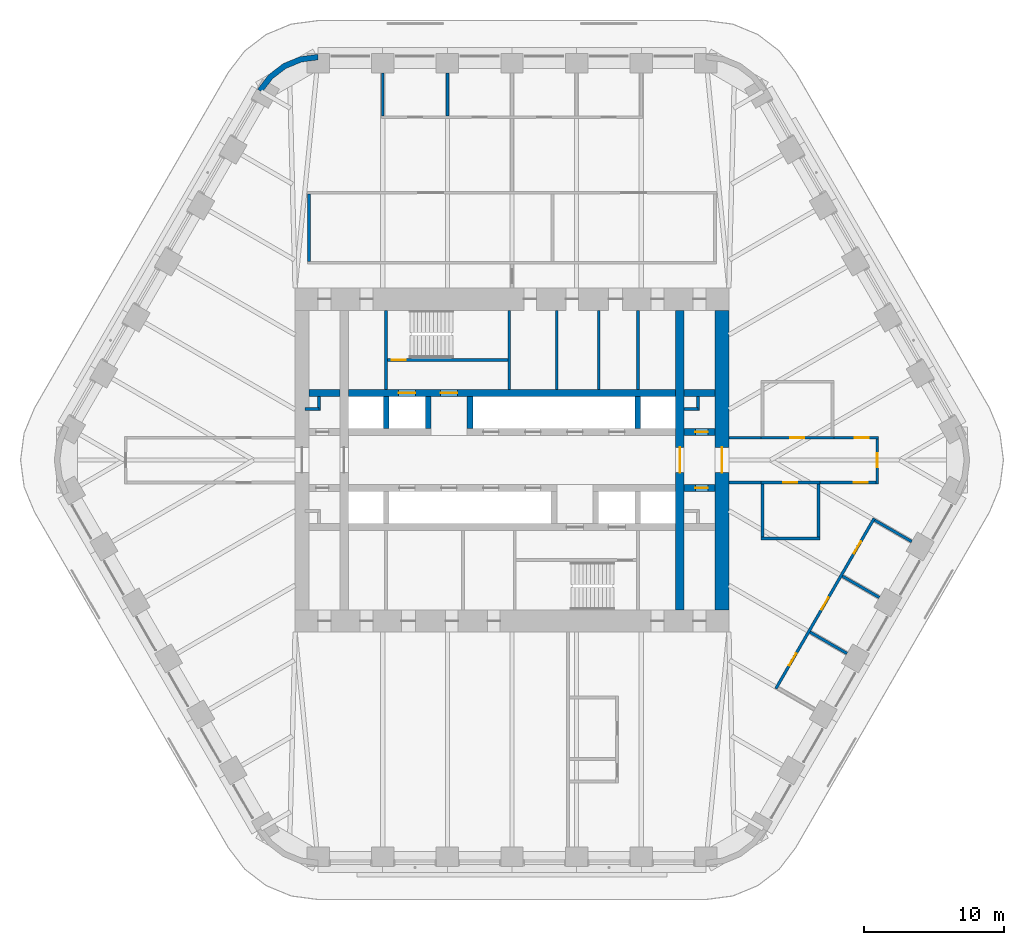
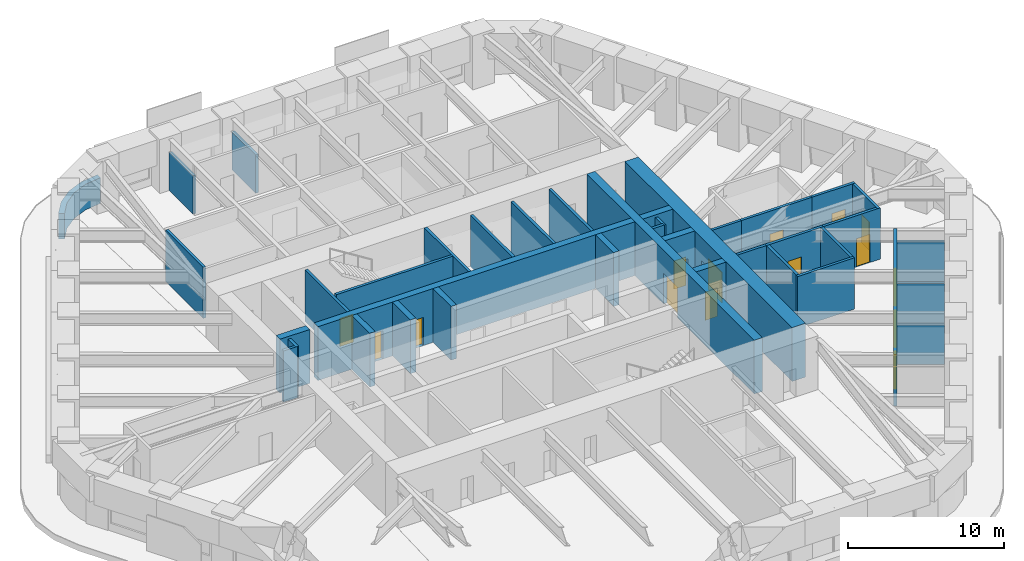
# One storey, part 16 of 20: 39 walls, 15 doors, 15 openings.
"""IFC4 building model written with IfcOpenShell, lengths in metres."""

from ifc_helpers import new_model, si_unit, direction, frame, frame_2d, origin, place, context, subcontext, project, spatial, polyline, rectangle, outline, extrude, material, layer, layer_set, type_object, element, fill, save


model = new_model("IFC4")

# Units and contexts
model_context = context("Model", 3, precision=1e-05, world=origin(), true_north=direction((0.0, 1.0)))
body_context = subcontext(model_context, "Body", "Model", "MODEL_VIEW")
ifc_project = project(units=[si_unit("LENGTHUNIT", "METRE"), si_unit("AREAUNIT", "SQUARE_METRE"), si_unit("VOLUMEUNIT", "CUBIC_METRE"), si_unit("PLANEANGLEUNIT", "RADIAN"), si_unit("MASSUNIT", "GRAM", prefix="KILO")], contexts=[model_context])

# Site, building, storey
site_placement = place(None, origin())
site = spatial("IfcSite", under=ifc_project, at=site_placement, CompositionType="ELEMENT")
building_placement = place(site_placement, origin())
building = spatial("IfcBuilding", under=site, at=building_placement, Name="Tarfa Lantern Tower", CompositionType="ELEMENT")
storey_placement = place(building_placement, frame((0.0, 0.0, 219.699951171875)))
storey = spatial("IfcBuildingStorey", under=building, at=storey_placement, Name="L49", CompositionType="ELEMENT", Elevation=219.699951171875)

# Walls
ifc_material_1 = material(Name="Limestone cladding on blockwork", Category="masonry")
ifc_layer_1 = layer(ifc_material_1, 0.39990234375)
ifc_layer_set_1 = layer_set([ifc_layer_1], Name="EW2 CURVED STONE CORNER 400")
wall_type_1 = type_object("IfcWallType", Name="EW2 CURVED STONE CORNER 400", PredefinedType="SOLIDWALL", material=ifc_layer_set_1)
wall_1_placement = place(storey_placement, origin())
element("IfcWall", 1, at=wall_1_placement, inside=storey, type_object=wall_type_1, Name="Stone corner N-NW", PredefinedType="SOLIDWALL", context=body_context, shape_type="SweptSolid", body=[
    extrude(outline(polyline([(-13.8564453125, 29.0), (-15.150390625, 28.82958984375), (-16.3564453125, 28.330078125), (-17.391845703125, 27.53564453125), (-18.1865234375, 26.5), (-17.840087890625, 26.300048828125), (-17.109130859375, 27.252685546875), (-16.156494140625, 27.983642578125), (-15.046875, 28.443359375), (-13.8564453125, 28.60009765625), (-13.8564453125, 29.0)])), origin(), (0.0, 0.0, 1.0), 2.0),
])
ifc_material_2 = material(Name="Concrete blockwork", Category="masonry")
ifc_layer_2 = layer(ifc_material_2, 0.199951171875)
ifc_layer_set_2 = layer_set([ifc_layer_2], Name="IW1 BLOCKWORK PARTITION 200 EI 120")
wall_type_2 = type_object("IfcWallType", Name="IW1 BLOCKWORK PARTITION 200 EI 120", PredefinedType="PARTITIONING", material=ifc_layer_set_2)
for number, where, z_axis, x_axis, name in (
    (2, (-9.0, 5.050048828125, 0.0), (0.0, 0.0, 1.0), (0.0, 1.0, 0.0), "Core partition"),
    (3, (9.0, 5.050048828125, 0.0), (0.0, 0.0, 1.0), (0.0, 1.0, 0.0), "Core partition"),
    (4, (3.199951171875, 5.050048828125, 0.0), (0.0, 0.0, 1.0), (0.0, 1.0, 0.0), "Core partition"),
    (5, (6.199951171875, 5.050048828125, 0.0), (0.0, 0.0, 1.0), (0.0, 1.0, 0.0), "Core partition"),
):
    element("IfcWall", number, at=place(storey_placement, frame(where, z_axis=z_axis, x_axis=x_axis)), inside=storey, type_object=wall_type_2, Name=name, PredefinedType="PARTITIONING", context=body_context, shape_type="SweptSolid", body=[
        extrude(rectangle(XDim=5.64990234375, YDim=0.199951171875, at=frame_2d((2.824951171875, 0.0))), origin(), (0.0, 0.0, 1.0), 4.0),
    ])
for number, where, z_axis, x_axis, name in (
    (6, (-14.800048828125, 3.64990234375, 0.0), (0.0, 0.0, 1.0), (1.0, 0.0, 0.0), "Core partition"),
    (7, (-13.800048828125, 3.550048828125, 0.0), (0.0, 0.0, 1.0), (0.0, 1.0, 0.0), "Core partition"),
    (8, (12.300048828125, 3.64990234375, 0.0), (0.0, 0.0, 1.0), (1.0, 0.0, 0.0), "Core partition"),
    (9, (13.300048828125, 3.550048828125, 0.0), (0.0, 0.0, 1.0), (0.0, 1.0, 0.0), "Core partition"),
):
    element("IfcWall", number, at=place(storey_placement, frame(where, z_axis=z_axis, x_axis=x_axis)), inside=storey, type_object=wall_type_2, Name=name, PredefinedType="PARTITIONING", context=body_context, shape_type="SweptSolid", body=[
        extrude(rectangle(XDim=1.0, YDim=0.199951171875, at=frame_2d((0.5, 0.0))), origin(), (0.0, 0.0, 1.0), 4.0),
    ])
ifc_material_3 = material(Name="Gypsum board on steel studs", Category="steel")
ifc_layer_3 = layer(ifc_material_3, 0.2099609375)
ifc_layer_set_3 = layer_set([ifc_layer_3], Name="IW2 ACOUSTIC PARTITION 200")
wall_type_3 = type_object("IfcWallType", Name="IW2 ACOUSTIC PARTITION 200", PredefinedType="PARTITIONING", material=ifc_layer_set_3)
wall_2_placement = place(storey_placement, frame((-14.5, 14.199951171875, 0.0), z_axis=(0.0, 0.0, 1.0), x_axis=(0.0, 1.0, 0.0)))
element("IfcWall", 10, at=wall_2_placement, inside=storey, type_object=wall_type_3, Name="Partition", PredefinedType="PARTITIONING", context=body_context, shape_type="SweptSolid", body=[
    extrude(rectangle(XDim=4.800048828125, YDim=0.199951171875, at=frame_2d((2.39990234375, 0.0))), origin(), (0.0, 0.0, 1.0), 4.0),
])
for number, where, z_axis, x_axis, name in (
    (11, (-4.618896484375, 24.60009765625, 0.0), (0.0, 0.0, 1.0), (0.0, 1.0, 0.0), "Partition"),
    (12, (-9.237548828125, 24.60009765625, 0.0), (0.0, 0.0, 1.0), (0.0, 1.0, 0.0), "Partition"),
):
    element("IfcWall", number, at=place(storey_placement, frame(where, z_axis=z_axis, x_axis=x_axis)), inside=storey, type_object=wall_type_3, Name=name, PredefinedType="PARTITIONING", context=body_context, shape_type="SweptSolid", body=[
        extrude(rectangle(XDim=3.0498046875, YDim=0.199951171875, at=frame_2d((1.52490234375, 0.0))), origin(), (0.0, 0.0, 1.0), 2.991943359375),
    ])

# Wall, openings, doors
wall_3_placement = place(storey_placement, frame((18.858154296875, -16.336669921875, 0.0), z_axis=(0.0, 0.0, 1.0), x_axis=(0.500002095642, 0.866024193862, 0.0)))
wall_3 = element("IfcWall", 13, at=wall_3_placement, inside=storey, type_object=wall_type_3, Name="Partition", PredefinedType="PARTITIONING", context=body_context, shape_type="SweptSolid", body=[
    extrude(rectangle(XDim=14.056640625, YDim=0.199951171875, at=frame_2d((7.0283203125, 0.0))), origin(), (0.0, 0.0, 1.0), 4.0),
])
opening_1_placement = place(wall_3_placement, frame((1.909423828125, 0.0, 0.0)))
opening_1 = element("IfcOpeningElement", 14, at=opening_1_placement, cuts=wall_3, Name="Opening D33", PredefinedType="OPENING", context=body_context, shape_type="SweptSolid", body=[
    extrude(rectangle(XDim=1.0, YDim=2.199951171875, at=frame_2d((0.5, 1.10009765625))), frame((0.0, 0.10986328125, 0.0), z_axis=(0.0, -1.0, 0.0), x_axis=(1.0, 0.0, 0.0)), (0.0, 0.0, 1.0), 0.219970703125),
])
opening_2_placement = place(wall_3_placement, frame((6.5283203125, 0.0, 0.0)))
opening_2 = element("IfcOpeningElement", 15, at=opening_2_placement, cuts=wall_3, Name="Opening D34", PredefinedType="OPENING", context=body_context, shape_type="SweptSolid", body=[
    extrude(rectangle(XDim=1.0, YDim=2.199951171875, at=frame_2d((0.5, 1.10009765625))), frame((0.0, 0.10986328125, 0.0), z_axis=(0.0, -1.0, 0.0), x_axis=(1.0, 0.0, 0.0)), (0.0, 0.0, 1.0), 0.219970703125),
])
opening_3_placement = place(wall_3_placement, frame((11.14697265625, 0.0, 0.0)))
opening_3 = element("IfcOpeningElement", 16, at=opening_3_placement, cuts=wall_3, Name="Opening D35", PredefinedType="OPENING", context=body_context, shape_type="SweptSolid", body=[
    extrude(rectangle(XDim=1.0, YDim=2.199951171875, at=frame_2d((0.5, 1.10009765625))), frame((0.0, 0.10986328125, 0.0), z_axis=(0.0, -1.0, 0.0), x_axis=(1.0, 0.0, 0.0)), (0.0, 0.0, 1.0), 0.219970703125),
])
ifc_material_4 = material(Name="Timber door", Category="wood")
door_type_1 = type_object("IfcDoorType", Name="DR1 ROOM DOOR 1000x2200", OperationType="SINGLE_SWING_LEFT", PredefinedType="DOOR", material=ifc_material_4)
door_1_placement = place(opening_1_placement, frame((1.0, 0.0, 0.0), z_axis=(0.0, 0.0, 1.0), x_axis=(-1.0, 0.0, 0.0)))
door_1 = element("IfcDoor", 17, at=door_1_placement, inside=storey, type_object=door_type_1, Name="Office door", OperationType="SINGLE_SWING_LEFT", OverallHeight=2.199951171875, OverallWidth=1.0, PredefinedType="DOOR", context=body_context, shape_type="SweptSolid", body=[
    extrude(rectangle(XDim=1.0, YDim=2.199951171875, at=frame_2d((0.5, 1.10009765625))), frame((0.0, 0.02490234375, 0.0), z_axis=(0.0, -1.0, 0.0), x_axis=(1.0, 0.0, 0.0)), (0.0, 0.0, 1.0), 0.050048828125),
])
fill(opening_1, door_1)
door_2_placement = place(opening_2_placement, frame((1.0, 0.0, 0.0), z_axis=(0.0, 0.0, 1.0), x_axis=(-1.0, 0.0, 0.0)))
door_2 = element("IfcDoor", 18, at=door_2_placement, inside=storey, type_object=door_type_1, Name="Office door", OperationType="SINGLE_SWING_RIGHT", OverallHeight=2.199951171875, OverallWidth=1.0, PredefinedType="DOOR", context=body_context, shape_type="SweptSolid", body=[
    extrude(rectangle(XDim=1.0, YDim=2.199951171875, at=frame_2d((0.5, 1.10009765625))), frame((0.0, 0.02490234375, 0.0), z_axis=(0.0, -1.0, 0.0), x_axis=(1.0, 0.0, 0.0)), (0.0, 0.0, 1.0), 0.050048828125),
])
fill(opening_2, door_2)
door_3_placement = place(opening_3_placement, frame((1.0, 0.0, 0.0), z_axis=(0.0, 0.0, 1.0), x_axis=(-1.0, 0.0, 0.0)))
door_3 = element("IfcDoor", 19, at=door_3_placement, inside=storey, type_object=door_type_1, Name="Office door", OperationType="SINGLE_SWING_RIGHT", OverallHeight=2.199951171875, OverallWidth=1.0, PredefinedType="DOOR", context=body_context, shape_type="SweptSolid", body=[
    extrude(rectangle(XDim=1.0, YDim=2.199951171875, at=frame_2d((0.5, 1.10009765625))), frame((0.0, 0.02490234375, 0.0), z_axis=(0.0, -1.0, 0.0), x_axis=(1.0, 0.0, 0.0)), (0.0, 0.0, 1.0), 0.050048828125),
])
fill(opening_3, door_3)

# Walls
for number, where, z_axis, x_axis, name in (
    (20, (21.30419921875, -12.300048828125, 0.0), (0.0, 0.0, 1.0), (0.866037623948, -0.499978833458, 0.0), "Partition"),
    (21, (23.613525390625, -8.300048828125, 0.0), (0.0, 0.0, 1.0), (0.866037623948, -0.499978833458, 0.0), "Partition"),
    (22, (25.923095703125, -4.300048828125, 0.0), (0.0, 0.0, 1.0), (0.866037623948, -0.499978833458, 0.0), "Partition"),
):
    element("IfcWall", number, at=place(storey_placement, frame(where, z_axis=z_axis, x_axis=x_axis)), inside=storey, type_object=wall_type_3, Name=name, PredefinedType="PARTITIONING", context=body_context, shape_type="SweptSolid", body=[
        extrude(rectangle(XDim=3.050048828125, YDim=0.199951171875, at=frame_2d((1.52490234375, 0.0))), origin(), (0.0, 0.0, 1.0), 3.08154296875),
    ])

# Wall, opening, door
wall_4_placement = place(storey_placement, frame((17.800048828125, 1.60009765625, 0.0), z_axis=(0.0, 0.0, 1.0), x_axis=(1.0, 0.0, 0.0)))
wall_4 = element("IfcWall", 23, at=wall_4_placement, inside=storey, type_object=wall_type_3, Name="Partition", PredefinedType="PARTITIONING", context=body_context, shape_type="SweptSolid", body=[
    extrude(rectangle(XDim=5.199951171875, YDim=0.199951171875, at=frame_2d((2.60009765625, 0.0))), origin(), (0.0, 0.0, 1.0), 4.0),
])
opening_4_placement = place(wall_4_placement, frame((2.10009765625, 0.0, 0.0)))
opening_4 = element("IfcOpeningElement", 24, at=opening_4_placement, cuts=wall_4, Name="Opening D27", PredefinedType="OPENING", context=body_context, shape_type="SweptSolid", body=[
    extrude(rectangle(XDim=1.0, YDim=2.199951171875, at=frame_2d((0.5, 1.10009765625))), frame((0.0, 0.10986328125, 0.0), z_axis=(0.0, -1.0, 0.0), x_axis=(1.0, 0.0, 0.0)), (0.0, 0.0, 1.0), 0.219970703125),
])
door_4_placement = place(opening_4_placement, origin())
door_4 = element("IfcDoor", 25, at=door_4_placement, inside=storey, type_object=door_type_1, Name="Project room door", OperationType="SINGLE_SWING_LEFT", OverallHeight=2.199951171875, OverallWidth=1.0, PredefinedType="DOOR", context=body_context, shape_type="SweptSolid", body=[
    extrude(rectangle(XDim=1.0, YDim=2.199951171875, at=frame_2d((0.5, 1.10009765625))), frame((0.0, 0.02490234375, 0.0), z_axis=(0.0, -1.0, 0.0), x_axis=(1.0, 0.0, 0.0)), (0.0, 0.0, 1.0), 0.050048828125),
])
fill(opening_4, door_4)

wall_5_placement = place(storey_placement, frame((17.800048828125, -1.60009765625, 0.0), z_axis=(0.0, 0.0, 1.0), x_axis=(1.0, 0.0, 0.0)))
wall_5 = element("IfcWall", 26, at=wall_5_placement, inside=storey, type_object=wall_type_3, Name="Partition", PredefinedType="PARTITIONING", context=body_context, shape_type="SweptSolid", body=[
    extrude(rectangle(XDim=4.199951171875, YDim=0.199951171875, at=frame_2d((2.10009765625, 0.0))), origin(), (0.0, 0.0, 1.0), 4.0),
])
opening_5_placement = place(wall_5_placement, frame((1.60009765625, 0.0, 0.0)))
opening_5 = element("IfcOpeningElement", 27, at=opening_5_placement, cuts=wall_5, Name="Opening D28", PredefinedType="OPENING", context=body_context, shape_type="SweptSolid", body=[
    extrude(rectangle(XDim=1.0, YDim=2.199951171875, at=frame_2d((0.5, 1.10009765625))), frame((0.0, 0.10986328125, 0.0), z_axis=(0.0, -1.0, 0.0), x_axis=(1.0, 0.0, 0.0)), (0.0, 0.0, 1.0), 0.219970703125),
])
door_5_placement = place(opening_5_placement, frame((1.0, 0.0, 0.0), z_axis=(0.0, 0.0, 1.0), x_axis=(-1.0, 0.0, 0.0)))
door_5 = element("IfcDoor", 28, at=door_5_placement, inside=storey, type_object=door_type_1, Name="Pantry door", OperationType="SINGLE_SWING_RIGHT", OverallHeight=2.199951171875, OverallWidth=1.0, PredefinedType="DOOR", context=body_context, shape_type="SweptSolid", body=[
    extrude(rectangle(XDim=1.0, YDim=2.199951171875, at=frame_2d((0.5, 1.10009765625))), frame((0.0, 0.02490234375, 0.0), z_axis=(0.0, -1.0, 0.0), x_axis=(1.0, 0.0, 0.0)), (0.0, 0.0, 1.0), 0.050048828125),
])
fill(opening_5, door_5)

# Walls
wall_6_placement = place(storey_placement, frame((17.800048828125, -5.60009765625, 0.0), z_axis=(0.0, 0.0, 1.0), x_axis=(1.0, 0.0, 0.0)))
element("IfcWall", 29, at=wall_6_placement, inside=storey, type_object=wall_type_3, Name="Partition", PredefinedType="PARTITIONING", context=body_context, shape_type="SweptSolid", body=[
    extrude(rectangle(XDim=4.199951171875, YDim=0.199951171875, at=frame_2d((2.10009765625, 0.0))), origin(), (0.0, 0.0, 1.0), 4.0),
])
for number, where, z_axis, x_axis, name in (
    (30, (17.89990234375, -1.699951171875, 0.0), (0.0, 0.0, 1.0), (0.0, -1.0, 0.0), "Partition"),
    (31, (21.89990234375, -1.699951171875, 0.0), (0.0, 0.0, 1.0), (0.0, -1.0, 0.0), "Partition"),
):
    element("IfcWall", number, at=place(storey_placement, frame(where, z_axis=z_axis, x_axis=x_axis)), inside=storey, type_object=wall_type_3, Name=name, PredefinedType="PARTITIONING", context=body_context, shape_type="SweptSolid", body=[
        extrude(rectangle(XDim=3.800048828125, YDim=0.199951171875, at=frame_2d((1.89990234375, 0.0))), origin(), (0.0, 0.0, 1.0), 4.0),
    ])
wall_7_placement = place(storey_placement, frame((15.5, 1.60009765625, 0.0), z_axis=(0.0, 0.0, 1.0), x_axis=(1.0, 0.0, 0.0)))
element("IfcWall", 32, at=wall_7_placement, inside=storey, type_object=wall_type_3, Name="Partition", PredefinedType="PARTITIONING", context=body_context, shape_type="SweptSolid", body=[
    extrude(rectangle(XDim=2.300048828125, YDim=0.199951171875, at=frame_2d((1.14990234375, 0.0))), origin(), (0.0, 0.0, 1.0), 4.0),
])

# Wall, opening, door
wall_8_placement = place(storey_placement, frame((23.0, 1.60009765625, 0.0), z_axis=(0.0, 0.0, 1.0), x_axis=(1.0, 0.0, 0.0)))
wall_8 = element("IfcWall", 33, at=wall_8_placement, inside=storey, type_object=wall_type_3, Name="Partition", PredefinedType="PARTITIONING", context=body_context, shape_type="SweptSolid", body=[
    extrude(rectangle(XDim=3.199951171875, YDim=0.199951171875, at=frame_2d((1.60009765625, 0.0))), origin(), (0.0, 0.0, 1.0), 4.0),
])
opening_6_placement = place(wall_8_placement, frame((1.5, 0.0, 0.0)))
opening_6 = element("IfcOpeningElement", 34, at=opening_6_placement, cuts=wall_8, Name="Opening D41", PredefinedType="OPENING", context=body_context, shape_type="SweptSolid", body=[
    extrude(rectangle(XDim=1.0, YDim=2.199951171875, at=frame_2d((0.5, 1.10009765625))), frame((0.0, 0.10986328125, 0.0), z_axis=(0.0, -1.0, 0.0), x_axis=(1.0, 0.0, 0.0)), (0.0, 0.0, 1.0), 0.219970703125),
])
door_6_placement = place(opening_6_placement, origin())
door_6 = element("IfcDoor", 35, at=door_6_placement, inside=storey, type_object=door_type_1, Name="Corridor door", OperationType="SINGLE_SWING_RIGHT", OverallHeight=2.199951171875, OverallWidth=1.0, PredefinedType="DOOR", context=body_context, shape_type="SweptSolid", body=[
    extrude(rectangle(XDim=1.0, YDim=2.199951171875, at=frame_2d((0.5, 1.10009765625))), frame((0.0, 0.02490234375, 0.0), z_axis=(0.0, -1.0, 0.0), x_axis=(1.0, 0.0, 0.0)), (0.0, 0.0, 1.0), 0.050048828125),
])
fill(opening_6, door_6)

# Wall
wall_9_placement = place(storey_placement, frame((15.5, -1.60009765625, 0.0), z_axis=(0.0, 0.0, 1.0), x_axis=(1.0, 0.0, 0.0)))
element("IfcWall", 36, at=wall_9_placement, inside=storey, type_object=wall_type_3, Name="Partition", PredefinedType="PARTITIONING", context=body_context, shape_type="SweptSolid", body=[
    extrude(rectangle(XDim=2.300048828125, YDim=0.199951171875, at=frame_2d((1.14990234375, 0.0))), origin(), (0.0, 0.0, 1.0), 4.0),
])

# Wall, opening, door
wall_10_placement = place(storey_placement, frame((22.0, -1.60009765625, 0.0), z_axis=(0.0, 0.0, 1.0), x_axis=(1.0, 0.0, 0.0)))
wall_10 = element("IfcWall", 37, at=wall_10_placement, inside=storey, type_object=wall_type_3, Name="Partition", PredefinedType="PARTITIONING", context=body_context, shape_type="SweptSolid", body=[
    extrude(rectangle(XDim=4.199951171875, YDim=0.199951171875, at=frame_2d((2.10009765625, 0.0))), origin(), (0.0, 0.0, 1.0), 4.0),
])
opening_7_placement = place(wall_10_placement, frame((2.43994140625, 0.0, 0.0)))
opening_7 = element("IfcOpeningElement", 38, at=opening_7_placement, cuts=wall_10, Name="Opening D42", PredefinedType="OPENING", context=body_context, shape_type="SweptSolid", body=[
    extrude(rectangle(XDim=1.0, YDim=2.199951171875, at=frame_2d((0.5, 1.10009765625))), frame((0.0, 0.10986328125, 0.0), z_axis=(0.0, -1.0, 0.0), x_axis=(1.0, 0.0, 0.0)), (0.0, 0.0, 1.0), 0.219970703125),
])
door_7_placement = place(opening_7_placement, frame((1.0, 0.0, 0.0), z_axis=(0.0, 0.0, 1.0), x_axis=(-1.0, 0.0, 0.0)))
door_7 = element("IfcDoor", 39, at=door_7_placement, inside=storey, type_object=door_type_1, Name="Corridor door", OperationType="SINGLE_SWING_LEFT", OverallHeight=2.199951171875, OverallWidth=1.0, PredefinedType="DOOR", context=body_context, shape_type="SweptSolid", body=[
    extrude(rectangle(XDim=1.0, YDim=2.199951171875, at=frame_2d((0.5, 1.10009765625))), frame((0.0, 0.02490234375, 0.0), z_axis=(0.0, -1.0, 0.0), x_axis=(1.0, 0.0, 0.0)), (0.0, 0.0, 1.0), 0.050048828125),
])
fill(opening_7, door_7)

wall_11_placement = place(storey_placement, frame((26.10009765625, -1.699951171875, 0.0), z_axis=(0.0, 0.0, 1.0), x_axis=(0.0, 1.0, 0.0)))
wall_11 = element("IfcWall", 40, at=wall_11_placement, inside=storey, type_object=wall_type_3, Name="Partition", PredefinedType="PARTITIONING", context=body_context, shape_type="SweptSolid", body=[
    extrude(rectangle(XDim=3.39990234375, YDim=0.199951171875, at=frame_2d((1.699951171875, 0.0))), origin(), (0.0, 0.0, 1.0), 4.0),
])
opening_8_placement = place(wall_11_placement, frame((1.199951171875, 0.0, 0.0)))
opening_8 = element("IfcOpeningElement", 41, at=opening_8_placement, cuts=wall_11, Name="Opening D40", PredefinedType="OPENING", context=body_context, shape_type="SweptSolid", body=[
    extrude(rectangle(XDim=1.0, YDim=2.199951171875, at=frame_2d((0.5, 1.10009765625))), frame((0.0, 0.10986328125, 0.0), z_axis=(0.0, -1.0, 0.0), x_axis=(1.0, 0.0, 0.0)), (0.0, 0.0, 1.0), 0.219970703125),
])
door_8_placement = place(opening_8_placement, frame((1.0, 0.0, 0.0), z_axis=(0.0, 0.0, 1.0), x_axis=(-1.0, 0.0, 0.0)))
door_8 = element("IfcDoor", 42, at=door_8_placement, inside=storey, type_object=door_type_1, Name="Corridor door", OperationType="SINGLE_SWING_LEFT", OverallHeight=2.199951171875, OverallWidth=1.0, PredefinedType="DOOR", context=body_context, shape_type="SweptSolid", body=[
    extrude(rectangle(XDim=1.0, YDim=2.199951171875, at=frame_2d((0.5, 1.10009765625))), frame((0.0, 0.02490234375, 0.0), z_axis=(0.0, -1.0, 0.0), x_axis=(1.0, 0.0, 0.0)), (0.0, 0.0, 1.0), 0.050048828125),
])
fill(opening_8, door_8)

# Wall
ifc_material_5 = material(Name="Concrete C80/95", Category="concrete")
ifc_layer_4 = layer(ifc_material_5, 0.199951171875)
ifc_layer_set_4 = layer_set([ifc_layer_4], Name="SW12 CORE WALL 200")
wall_type_4 = type_object("IfcWallType", Name="SW12 CORE WALL 200", PredefinedType="SHEAR", material=ifc_layer_set_4)
wall_12_placement = place(storey_placement, frame((-0.199951171875, 5.050048828125, 0.0), z_axis=(0.0, 0.0, 1.0), x_axis=(0.0, 1.0, 0.0)))
element("IfcWall", 43, at=wall_12_placement, inside=storey, type_object=wall_type_4, Name="Core wall stair shaft N", PredefinedType="SHEAR", context=body_context, shape_type="SweptSolid", body=[
    extrude(rectangle(XDim=5.64990234375, YDim=0.199951171875, at=frame_2d((2.824951171875, 0.0))), origin(), (0.0, 0.0, 1.0), 4.199951171875),
])

# Wall, opening, door
wall_13_placement = place(storey_placement, frame((-8.89990234375, 7.14990234375, 0.0), z_axis=(0.0, 0.0, 1.0), x_axis=(1.0, 0.0, 0.0)))
wall_13 = element("IfcWall", 44, at=wall_13_placement, inside=storey, type_object=wall_type_4, Name="Core wall stair partition N", PredefinedType="SHEAR", context=body_context, shape_type="SweptSolid", body=[
    extrude(rectangle(XDim=8.599853515625, YDim=0.199951171875, at=frame_2d((4.2998046875, 0.0))), origin(), (0.0, 0.0, 1.0), 4.199951171875),
])
opening_9_placement = place(wall_13_placement, frame((0.300048828125, 0.0, 0.0)))
opening_9 = element("IfcOpeningElement", 45, at=opening_9_placement, cuts=wall_13, Name="Opening D23", PredefinedType="OPENING", context=body_context, shape_type="SweptSolid", body=[
    extrude(rectangle(XDim=1.0, YDim=2.199951171875, at=frame_2d((0.5, 1.10009765625))), frame((0.0, 0.10986328125, 0.0), z_axis=(0.0, -1.0, 0.0), x_axis=(1.0, 0.0, 0.0)), (0.0, 0.0, 1.0), 0.219970703125),
])
ifc_material_6 = material(Name="Steel fire door", Category="steel")
door_type_2 = type_object("IfcDoorType", Name="DF2 STAIR DOOR 1000x2200", OperationType="SINGLE_SWING_LEFT", PredefinedType="DOOR", material=ifc_material_6)
door_9_placement = place(opening_9_placement, origin())
door_9 = element("IfcDoor", 46, at=door_9_placement, inside=storey, type_object=door_type_2, Name="Stair door", OperationType="SINGLE_SWING_RIGHT", OverallHeight=2.199951171875, OverallWidth=1.0, PredefinedType="DOOR", context=body_context, shape_type="SweptSolid", body=[
    extrude(rectangle(XDim=1.0, YDim=2.199951171875, at=frame_2d((0.5, 1.10009765625))), frame((0.0, 0.02490234375, 0.0), z_axis=(0.0, -1.0, 0.0), x_axis=(1.0, 0.0, 0.0)), (0.0, 0.0, 1.0), 0.050048828125),
])
fill(opening_9, door_9)

ifc_layer_5 = layer(ifc_material_5, 1.0)
ifc_layer_set_5 = layer_set([ifc_layer_5], Name="SW2 CORE WALL 1000")
wall_type_5 = type_object("IfcWallType", Name="SW2 CORE WALL 1000", PredefinedType="SHEAR", material=ifc_layer_set_5)
wall_14_placement = place(storey_placement, frame((15.0, -10.699951171875, 0.0), z_axis=(0.0, 0.0, 1.0), x_axis=(0.0, 1.0, 0.0)))
wall_14 = element("IfcWall", 47, at=wall_14_placement, inside=storey, type_object=wall_type_5, Name="Core wall E", PredefinedType="SHEAR", context=body_context, shape_type="SweptSolid", body=[
    extrude(rectangle(XDim=21.39990234375, YDim=1.0, at=frame_2d((10.699951171875, 0.0))), origin(), (0.0, 0.0, 1.0), 4.199951171875),
])
opening_10_placement = place(wall_14_placement, frame((9.800048828125, 0.0, 0.0)))
opening_10 = element("IfcOpeningElement", 48, at=opening_10_placement, cuts=wall_14, Name="Opening D11", PredefinedType="OPENING", context=body_context, shape_type="SweptSolid", body=[
    extrude(rectangle(XDim=1.800048828125, YDim=2.39990234375, at=frame_2d((0.89990234375, 1.199951171875))), frame((0.0, 0.510009765625, 0.0), z_axis=(0.0, -1.0, 0.0), x_axis=(1.0, 0.0, 0.0)), (0.0, 0.0, 1.0), 1.02001953125),
])
door_type_3 = type_object("IfcDoorType", Name="DL1 LOBBY DOOR 1800x2400", OperationType="DOUBLE_DOOR_SINGLE_SWING", PredefinedType="DOOR", material=ifc_material_6)
door_10_placement = place(opening_10_placement, frame((1.800048828125, 0.0, 0.0), z_axis=(0.0, 0.0, 1.0), x_axis=(-1.0, 0.0, 0.0)))
door_10 = element("IfcDoor", 49, at=door_10_placement, inside=storey, type_object=door_type_3, Name="Lift lobby door", OperationType="DOUBLE_DOOR_SINGLE_SWING", OverallHeight=2.39990234375, OverallWidth=1.800048828125, PredefinedType="DOOR", context=body_context, shape_type="SweptSolid", body=[
    extrude(rectangle(XDim=1.800048828125, YDim=2.39990234375, at=frame_2d((0.89990234375, 1.199951171875))), frame((0.0, 0.02490234375, 0.0), z_axis=(0.0, -1.0, 0.0), x_axis=(1.0, 0.0, 0.0)), (0.0, 0.0, 1.0), 0.050048828125),
])
fill(opening_10, door_10)

ifc_layer_6 = layer(ifc_material_5, 0.5)
ifc_layer_set_6 = layer_set([ifc_layer_6], Name="SW5 CORE WALL 500")
wall_type_6 = type_object("IfcWallType", Name="SW5 CORE WALL 500", PredefinedType="SHEAR", material=ifc_layer_set_6)
wall_15_placement = place(storey_placement, frame((12.300048828125, 2.0, 0.0), z_axis=(0.0, 0.0, 1.0), x_axis=(1.0, 0.0, 0.0)))
wall_15 = element("IfcWall", 50, at=wall_15_placement, inside=storey, type_object=wall_type_6, Name="Core wall lobby east N", PredefinedType="SHEAR", context=body_context, shape_type="SweptSolid", body=[
    extrude(rectangle(XDim=2.199951171875, YDim=0.5, at=frame_2d((1.10009765625, 0.0))), origin(), (0.0, 0.0, 1.0), 4.199951171875),
])
opening_11_placement = place(wall_15_placement, frame((0.800048828125, 0.0, 0.0)))
opening_11 = element("IfcOpeningElement", 51, at=opening_11_placement, cuts=wall_15, Name="Opening D13", PredefinedType="OPENING", context=body_context, shape_type="SweptSolid", body=[
    extrude(rectangle(XDim=0.89990234375, YDim=2.199951171875, at=frame_2d((0.449951171875, 1.10009765625))), frame((0.0, 0.260009765625, 0.0), z_axis=(0.0, -1.0, 0.0), x_axis=(1.0, 0.0, 0.0)), (0.0, 0.0, 1.0), 0.52001953125),
])
door_type_4 = type_object("IfcDoorType", Name="DF6 SERVICE ROOM DOOR 900x2200", OperationType="SINGLE_SWING_LEFT", PredefinedType="DOOR", material=ifc_material_6)
door_11_placement = place(opening_11_placement, origin())
door_11 = element("IfcDoor", 52, at=door_11_placement, inside=storey, type_object=door_type_4, Name="Service room door", OperationType="SINGLE_SWING_LEFT", OverallHeight=2.199951171875, OverallWidth=0.89990234375, PredefinedType="DOOR", context=body_context, shape_type="SweptSolid", body=[
    extrude(rectangle(XDim=0.89990234375, YDim=2.199951171875, at=frame_2d((0.449951171875, 1.10009765625))), frame((0.0, 0.02490234375, 0.0), z_axis=(0.0, -1.0, 0.0), x_axis=(1.0, 0.0, 0.0)), (0.0, 0.0, 1.0), 0.050048828125),
])
fill(opening_11, door_11)

# Wall
wall_16_placement = place(storey_placement, frame((-14.5, 4.800048828125, 0.0), z_axis=(0.0, 0.0, 1.0), x_axis=(1.0, 0.0, 0.0)))
element("IfcWall", 53, at=wall_16_placement, inside=storey, type_object=wall_type_6, Name="Core wall rear N", PredefinedType="SHEAR", context=body_context, shape_type="SweptSolid", body=[
    extrude(rectangle(XDim=2.199951171875, YDim=0.5, at=frame_2d((1.10009765625, 0.0))), origin(), (0.0, 0.0, 1.0), 4.199951171875),
])

# Wall, openings, doors
wall_17_placement = place(storey_placement, frame((-11.699951171875, 4.800048828125, 0.0), z_axis=(0.0, 0.0, 1.0), x_axis=(1.0, 0.0, 0.0)))
wall_17 = element("IfcWall", 54, at=wall_17_placement, inside=storey, type_object=wall_type_6, Name="Core wall rear N", PredefinedType="SHEAR", context=body_context, shape_type="SweptSolid", body=[
    extrude(rectangle(XDim=23.39990234375, YDim=0.5, at=frame_2d((11.699951171875, 0.0))), origin(), (0.0, 0.0, 1.0), 4.199951171875),
])
opening_12_placement = place(wall_17_placement, frame((6.60009765625, 0.0, 0.0)))
opening_12 = element("IfcOpeningElement", 55, at=opening_12_placement, cuts=wall_17, Name="Opening D09", PredefinedType="OPENING", context=body_context, shape_type="SweptSolid", body=[
    extrude(rectangle(XDim=1.199951171875, YDim=2.199951171875, at=frame_2d((0.60009765625, 1.10009765625))), frame((0.0, 0.260009765625, 0.0), z_axis=(0.0, -1.0, 0.0), x_axis=(1.0, 0.0, 0.0)), (0.0, 0.0, 1.0), 0.52001953125),
])
opening_13_placement = place(wall_17_placement, frame((3.60009765625, 0.0, 0.0)))
opening_13 = element("IfcOpeningElement", 56, at=opening_13_placement, cuts=wall_17, Name="Opening LD01", PredefinedType="OPENING", context=body_context, shape_type="SweptSolid", body=[
    extrude(rectangle(XDim=1.199951171875, YDim=2.199951171875, at=frame_2d((0.60009765625, 1.10009765625))), frame((0.0, 0.260009765625, 0.0), z_axis=(0.0, -1.0, 0.0), x_axis=(1.0, 0.0, 0.0)), (0.0, 0.0, 1.0), 0.52001953125),
])
door_type_5 = type_object("IfcDoorType", Name="DF1 FIREFIGHTING LOBBY DOOR 1200x2200", OperationType="SINGLE_SWING_LEFT", PredefinedType="DOOR", material=ifc_material_6)
door_12_placement = place(opening_12_placement, origin())
door_12 = element("IfcDoor", 57, at=door_12_placement, inside=storey, type_object=door_type_5, Name="Firefighting lobby door", OperationType="SINGLE_SWING_LEFT", OverallHeight=2.199951171875, OverallWidth=1.199951171875, PredefinedType="DOOR", context=body_context, shape_type="SweptSolid", body=[
    extrude(rectangle(XDim=1.199951171875, YDim=2.199951171875, at=frame_2d((0.60009765625, 1.10009765625))), frame((0.0, 0.02490234375, 0.0), z_axis=(0.0, -1.0, 0.0), x_axis=(1.0, 0.0, 0.0)), (0.0, 0.0, 1.0), 0.050048828125),
])
fill(opening_12, door_12)
ifc_material_7 = material(Name="Stainless steel lift door", Category="steel")
door_type_6 = type_object("IfcDoorType", Name="LD1 LIFT LANDING DOOR 1200x2200", OperationType="SLIDING_TO_LEFT", PredefinedType="DOOR", material=ifc_material_7)
door_13_placement = place(opening_13_placement, origin())
door_13 = element("IfcDoor", 58, at=door_13_placement, inside=storey, type_object=door_type_6, Name="Landing door FL1", OperationType="SLIDING_TO_LEFT", OverallHeight=2.199951171875, OverallWidth=1.199951171875, PredefinedType="DOOR", context=body_context, shape_type="SweptSolid", body=[
    extrude(rectangle(XDim=1.199951171875, YDim=2.199951171875, at=frame_2d((0.60009765625, 1.10009765625))), frame((0.0, 0.02490234375, 0.0), z_axis=(0.0, -1.0, 0.0), x_axis=(1.0, 0.0, 0.0)), (0.0, 0.0, 1.0), 0.050048828125),
])
fill(opening_13, door_13)

# Wall
wall_18_placement = place(storey_placement, frame((12.300048828125, 4.800048828125, 0.0), z_axis=(0.0, 0.0, 1.0), x_axis=(1.0, 0.0, 0.0)))
element("IfcWall", 59, at=wall_18_placement, inside=storey, type_object=wall_type_6, Name="Core wall rear N", PredefinedType="SHEAR", context=body_context, shape_type="SweptSolid", body=[
    extrude(rectangle(XDim=2.199951171875, YDim=0.5, at=frame_2d((1.10009765625, 0.0))), origin(), (0.0, 0.0, 1.0), 4.199951171875),
])

# Wall, opening, door
wall_19_placement = place(storey_placement, frame((14.5, -2.0, 0.0), z_axis=(0.0, 0.0, 1.0), x_axis=(-1.0, 0.0, 0.0)))
wall_19 = element("IfcWall", 60, at=wall_19_placement, inside=storey, type_object=wall_type_6, Name="Core wall lobby west S", PredefinedType="SHEAR", context=body_context, shape_type="SweptSolid", body=[
    extrude(rectangle(XDim=2.199951171875, YDim=0.5, at=frame_2d((1.10009765625, 0.0))), origin(), (0.0, 0.0, 1.0), 4.199951171875),
])
opening_14_placement = place(wall_19_placement, frame((0.5, 0.0, 0.0)))
opening_14 = element("IfcOpeningElement", 61, at=opening_14_placement, cuts=wall_19, Name="Opening D16", PredefinedType="OPENING", context=body_context, shape_type="SweptSolid", body=[
    extrude(rectangle(XDim=0.89990234375, YDim=2.199951171875, at=frame_2d((0.449951171875, 1.10009765625))), frame((0.0, 0.260009765625, 0.0), z_axis=(0.0, -1.0, 0.0), x_axis=(1.0, 0.0, 0.0)), (0.0, 0.0, 1.0), 0.52001953125),
])
door_14_placement = place(opening_14_placement, origin())
door_14 = element("IfcDoor", 62, at=door_14_placement, inside=storey, type_object=door_type_4, Name="Service room door", OperationType="SINGLE_SWING_RIGHT", OverallHeight=2.199951171875, OverallWidth=0.89990234375, PredefinedType="DOOR", context=body_context, shape_type="SweptSolid", body=[
    extrude(rectangle(XDim=0.89990234375, YDim=2.199951171875, at=frame_2d((0.449951171875, 1.10009765625))), frame((0.0, 0.02490234375, 0.0), z_axis=(0.0, -1.0, 0.0), x_axis=(1.0, 0.0, 0.0)), (0.0, 0.0, 1.0), 0.050048828125),
])
fill(opening_14, door_14)

# Walls
ifc_layer_7 = layer(ifc_material_5, 0.39990234375)
ifc_layer_set_7 = layer_set([ifc_layer_7], Name="SW6 CORE WALL 400")
wall_type_7 = type_object("IfcWallType", Name="SW6 CORE WALL 400", PredefinedType="SHEAR", material=ifc_layer_set_7)
for number, where, z_axis, x_axis, name in (
    (63, (-9.0, 2.25, 0.0), (0.0, 0.0, 1.0), (0.0, 1.0, 0.0), "Core wall divider N"),
    (64, (-6.0, 2.25, 0.0), (0.0, 0.0, 1.0), (0.0, 1.0, 0.0), "Core wall divider N"),
    (65, (-3.0, 2.25, 0.0), (0.0, 0.0, 1.0), (0.0, 1.0, 0.0), "Core wall divider N"),
    (66, (9.0, 2.25, 0.0), (0.0, 0.0, 1.0), (0.0, 1.0, 0.0), "Core wall divider N"),
):
    element("IfcWall", number, at=place(storey_placement, frame(where, z_axis=z_axis, x_axis=x_axis)), inside=storey, type_object=wall_type_7, Name=name, PredefinedType="SHEAR", context=body_context, shape_type="SweptSolid", body=[
        extrude(rectangle(XDim=2.300048828125, YDim=0.39990234375, at=frame_2d((1.14990234375, 0.0))), origin(), (0.0, 0.0, 1.0), 4.199951171875),
    ])

# Wall, opening, door
ifc_layer_8 = layer(ifc_material_5, 0.60009765625)
ifc_layer_set_8 = layer_set([ifc_layer_8], Name="SW9 CORE WALL 600")
wall_type_8 = type_object("IfcWallType", Name="SW9 CORE WALL 600", PredefinedType="SHEAR", material=ifc_layer_set_8)
wall_20_placement = place(storey_placement, frame((12.0, -10.699951171875, 0.0), z_axis=(0.0, 0.0, 1.0), x_axis=(0.0, 1.0, 0.0)))
wall_20 = element("IfcWall", 67, at=wall_20_placement, inside=storey, type_object=wall_type_8, Name="Core wall cross 12 m east", PredefinedType="SHEAR", context=body_context, shape_type="SweptSolid", body=[
    extrude(rectangle(XDim=21.39990234375, YDim=0.60009765625, at=frame_2d((10.699951171875, 0.0))), origin(), (0.0, 0.0, 1.0), 4.199951171875),
])
opening_15_placement = place(wall_20_placement, frame((9.800048828125, 0.0, 0.0)))
opening_15 = element("IfcOpeningElement", 68, at=opening_15_placement, cuts=wall_20, Name="Opening D25", PredefinedType="OPENING", context=body_context, shape_type="SweptSolid", body=[
    extrude(rectangle(XDim=1.800048828125, YDim=2.39990234375, at=frame_2d((0.89990234375, 1.199951171875))), frame((0.0, 0.31005859375, 0.0), z_axis=(0.0, -1.0, 0.0), x_axis=(1.0, 0.0, 0.0)), (0.0, 0.0, 1.0), 0.6201171875),
])
door_15_placement = place(opening_15_placement, origin())
door_15 = element("IfcDoor", 69, at=door_15_placement, inside=storey, type_object=door_type_3, Name="Lift lobby door", OperationType="DOUBLE_DOOR_SINGLE_SWING", OverallHeight=2.39990234375, OverallWidth=1.800048828125, PredefinedType="DOOR", context=body_context, shape_type="SweptSolid", body=[
    extrude(rectangle(XDim=1.800048828125, YDim=2.39990234375, at=frame_2d((0.89990234375, 1.199951171875))), frame((0.0, 0.02490234375, 0.0), z_axis=(0.0, -1.0, 0.0), x_axis=(1.0, 0.0, 0.0)), (0.0, 0.0, 1.0), 0.050048828125),
])
fill(opening_15, door_15)

save(model, "model.ifc")
